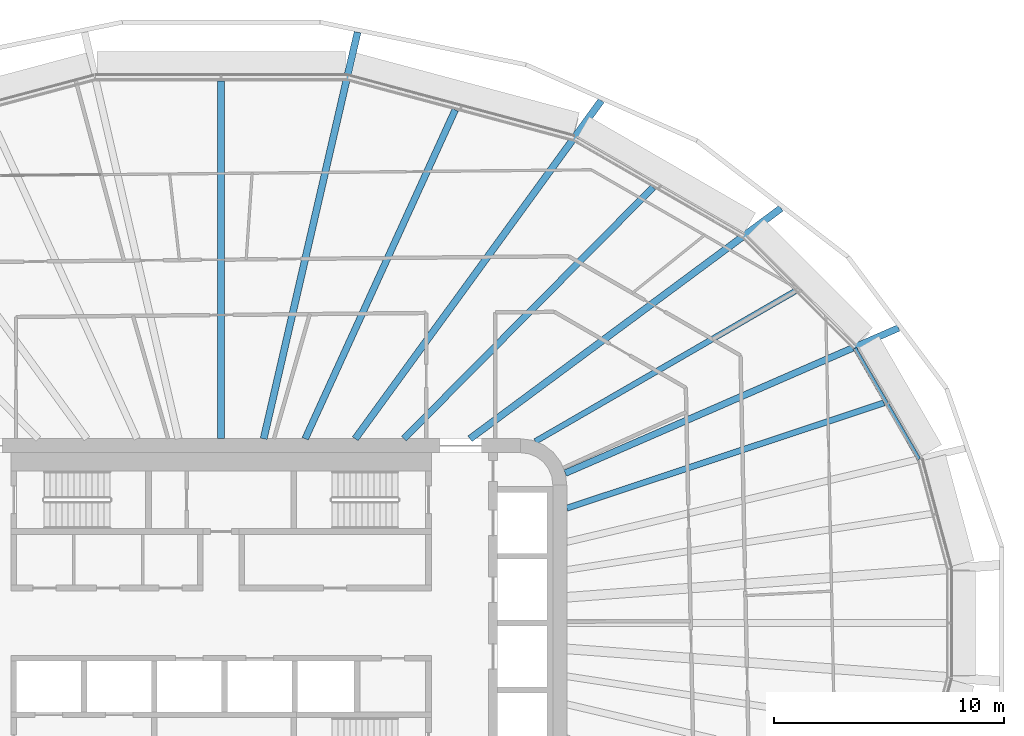
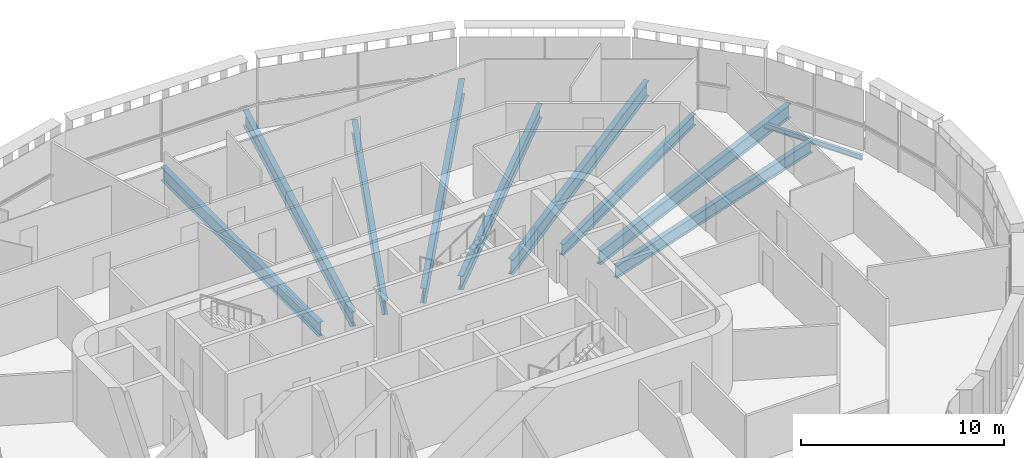
# One storey, part 9 of 26: 10 beams.
"""IFC4 building model written with IfcOpenShell, lengths in metres."""

import ifcopenshell
import ifcopenshell.guid

model = None  # the IFC model being written
_history = None  # IfcOwnerHistory: only IFC2X3 demands one
_inside = {}  # id of a spatial element -> (the spatial element, [elements in it])
_under = {}  # id of a project, library or spatial element -> (it, [spatial elements below it])
_declared = {}  # id of a project -> (the project, [libraries it declares])
_typed = {}  # id of a type object -> (the type object, [elements of that type])
_made_of = {}  # id of a material, layer set ... -> (it, [elements and type objects made of it])


def new_model(schema):
    """Start an empty IFC model of exactly this schema.

    Asked for "IFC4X3", IfcOpenShell would pick the latest addendum, in which some entities
    have other attributes; the version numbers below select the first issue.
    IFC2X3 requires an IfcOwnerHistory on every rooted entity: one is made here for all.
    """
    global model, _history
    if schema == "IFC4X3":
        model = ifcopenshell.file(schema_version=(4, 3, 0, 0))
    else:
        model = ifcopenshell.file(schema=schema)
    _inside.clear()
    _under.clear()
    _declared.clear()
    _typed.clear()
    _made_of.clear()
    _history = None
    if model.schema == "IFC2X3":
        org = make("IfcOrganization", Name="unknown")
        user = make(
            "IfcPersonAndOrganization",
            ThePerson=make("IfcPerson", FamilyName="unknown"),
            TheOrganization=org,
        )
        app = make(
            "IfcApplication",
            ApplicationDeveloper=org,
            Version="unknown",
            ApplicationFullName="unknown",
            ApplicationIdentifier="unknown",
        )
        _history = make(
            "IfcOwnerHistory",
            OwningUser=user,
            OwningApplication=app,
            ChangeAction="ADDED",
            CreationDate=0,
        )
    return model


def make(cls, **values):
    """One entity of the class cls with the attributes given. An attribute that is None is left unset."""
    return model.create_entity(
        cls, **{name: value for name, value in values.items() if value is not None}
    )


def rooted(cls, **values):
    """An entity with a GlobalId (a new one), such as an element, a storey or a relation."""
    return make(cls, GlobalId=ifcopenshell.guid.new(), OwnerHistory=_history, **values)


def si_unit(unit_type, name, prefix=None):
    """IfcSIUnit, for example si_unit("LENGTHUNIT", "METRE", prefix="MILLI")."""
    return make("IfcSIUnit", UnitType=unit_type, Prefix=prefix, Name=name)


def assignment(units):
    """IfcUnitAssignment: the units of a project."""
    return None if units is None else make("IfcUnitAssignment", Units=units)


def point(xyz):
    """IfcCartesianPoint."""
    return None if xyz is None else make("IfcCartesianPoint", Coordinates=xyz)


def direction(xyz):
    """IfcDirection."""
    return None if xyz is None else make("IfcDirection", DirectionRatios=xyz)


def frame(location, z_axis=None, x_axis=None):
    """IfcAxis2Placement3D, a coordinate frame: its origin and axes. An axis left out is left unset."""
    return make(
        "IfcAxis2Placement3D",
        Location=point(location),
        Axis=direction(z_axis),
        RefDirection=direction(x_axis),
    )


def frame_2d(location, x_axis=None):
    """IfcAxis2Placement2D, a coordinate frame in the plane: its origin and x axis."""
    return make(
        "IfcAxis2Placement2D", Location=point(location), RefDirection=direction(x_axis)
    )


def origin():
    """The frame at (0, 0, 0) with its axes left unset."""
    return frame((0.0, 0.0, 0.0))


def origin_2d():
    """The frame at (0, 0) in the plane with its x axis left unset."""
    return frame_2d((0.0, 0.0))


def place(relative_to, where):
    """IfcLocalPlacement: puts the frame where relative to a parent placement (None: the world)."""
    return make(
        "IfcLocalPlacement", PlacementRelTo=relative_to, RelativePlacement=where
    )


def context(
    kind, dimensions, precision=None, world=None, true_north=None, identifier=None
):
    """IfcGeometricRepresentationContext, for example the 3D "Model" context."""
    return make(
        "IfcGeometricRepresentationContext",
        ContextIdentifier=identifier,
        ContextType=kind,
        CoordinateSpaceDimension=dimensions,
        Precision=precision,
        WorldCoordinateSystem=world,
        TrueNorth=true_north,
    )


def subcontext(parent, identifier, kind, view, scale=None):
    """IfcGeometricRepresentationSubContext, for example "Body" below "Model"."""
    return make(
        "IfcGeometricRepresentationSubContext",
        ContextIdentifier=identifier,
        ContextType=kind,
        ParentContext=parent,
        TargetScale=scale,
        TargetView=view,
    )


def project(units=None, contexts=None):
    """IfcProject with its units and contexts."""
    return rooted(
        "IfcProject",
        Name="project",
        RepresentationContexts=contexts,
        UnitsInContext=assignment(units),
    )


def spatial(cls, under=None, at=None, **own):
    """A site, building, storey or space (cls), placed at a placement, below another one or the project."""
    s = rooted(cls, ObjectPlacement=at, **own)
    if under is not None:
        _under.setdefault(under.id(), (under, []))[1].append(s)
    return s


def profile(cls, at=None, kind="AREA", **sizes):
    """A parametric profile (cls). Its sizes go by their IFC names, for example OverallWidth=200.0."""
    return make(cls, ProfileType=kind, Position=at, **sizes)


def i_section(**sizes):
    """IfcIShapeProfileDef."""
    return profile("IfcIShapeProfileDef", **sizes)


def extrude(swept, where, along, depth):
    """IfcExtrudedAreaSolid: the profile swept, set in the frame where, extruded along a direction by depth."""
    return make(
        "IfcExtrudedAreaSolid",
        SweptArea=swept,
        Position=where,
        ExtrudedDirection=direction(along),
        Depth=depth,
    )


def shape(context_of_items, identifier, shape_type, items):
    """IfcShapeRepresentation: the items that make up one representation, for example the "Body"."""
    return make(
        "IfcShapeRepresentation",
        ContextOfItems=context_of_items,
        RepresentationIdentifier=identifier,
        RepresentationType=shape_type,
        Items=items,
    )


def material(Name=None, Category=None):
    """IfcMaterial."""
    return make("IfcMaterial", Name=Name, Category=Category)


def material_profile(
    of_material, cross_section, Name=None, Category=None, Priority=None
):
    """IfcMaterialProfile: a cross section and its material."""
    return make(
        "IfcMaterialProfile",
        Name=Name,
        Material=of_material,
        Profile=cross_section,
        Priority=Priority,
        Category=Category,
    )


def profile_set(profiles, Name=None, composite=None):
    """IfcMaterialProfileSet."""
    return make(
        "IfcMaterialProfileSet",
        Name=Name,
        MaterialProfiles=profiles,
        CompositeProfile=composite,
    )


def made_of(thing, what):
    """Note that an element or type object is made of a material, layer set ...; save() writes the relation."""
    if what is not None:
        _made_of.setdefault(what.id(), (what, []))[1].append(thing)
    return thing


def type_object(cls, material=None, **own):
    """A type object (cls), such as IfcWallType, which elements share."""
    return made_of(rooted(cls, **own), material)


def element(
    cls,
    number,
    at=None,
    inside=None,
    cuts=None,
    type_object=None,
    material=None,
    context=None,
    identifier="Body",
    shape_type=None,
    held_by="IfcProductDefinitionShape",
    body=None,
    shapes=None,
    **own,
):
    """One element of the class cls, such as IfcWall. Its Tag is "e" and its number.

    at: its placement. inside: the storey or other place that contains it. cuts: it is an
    opening in that element (IfcRelVoidsElement). A single representation is given by context,
    identifier, shape_type and body (its items); several are given by shapes. held_by: the class
    of the entity that holds the representations. save() writes the other relations.
    """
    e = rooted(cls, Tag="e%d" % number, ObjectPlacement=at, **own)
    if body is not None:
        shapes = [shape(context, identifier, shape_type, body)]
    if shapes is not None:
        e.Representation = make(held_by, Representations=shapes)
    if inside is not None:
        _inside.setdefault(inside.id(), (inside, []))[1].append(e)
    if cuts is not None:
        rooted(
            "IfcRelVoidsElement", RelatingBuildingElement=cuts, RelatedOpeningElement=e
        )
    if type_object is not None:
        _typed.setdefault(type_object.id(), (type_object, []))[1].append(e)
    return made_of(e, material)


def aggregate(whole, parts):
    """IfcRelAggregates: a whole, such as a stair, and the parts it consists of."""
    return rooted("IfcRelAggregates", RelatingObject=whole, RelatedObjects=parts)


def save(model, path):
    """Write the relations noted so far, then the file.

    IfcRelAggregates (storeys below a building ...), IfcRelContainedInSpatialStructure (elements
    in a storey), IfcRelDefinesByType, IfcRelAssociatesMaterial and IfcRelDeclares: one each for
    every whole, place, type object, material and project.
    """
    for whole, parts in _under.values():
        aggregate(whole, parts)
    for where, things in _inside.values():
        rooted(
            "IfcRelContainedInSpatialStructure",
            RelatedElements=things,
            RelatingStructure=where,
        )
    for kind, things in _typed.values():
        rooted("IfcRelDefinesByType", RelatedObjects=things, RelatingType=kind)
    for what, things in _made_of.values():
        rooted("IfcRelAssociatesMaterial", RelatedObjects=things, RelatingMaterial=what)
    for by, libraries in _declared.values():
        rooted("IfcRelDeclares", RelatingContext=by, RelatedDefinitions=libraries)
    model.write(path)


model = new_model("IFC4")

# Units and contexts
model_context = context("Model", 3, precision=1e-05, world=origin(), true_north=direction((0.0, 1.0)))
body_context = subcontext(model_context, "Body", "Model", "MODEL_VIEW")
ifc_project = project(units=[si_unit("LENGTHUNIT", "METRE"), si_unit("AREAUNIT", "SQUARE_METRE"), si_unit("VOLUMEUNIT", "CUBIC_METRE"), si_unit("PLANEANGLEUNIT", "RADIAN"), si_unit("MASSUNIT", "GRAM", prefix="KILO")], contexts=[model_context])

# Site, building, storey
site_placement = place(None, origin())
site = spatial("IfcSite", under=ifc_project, at=site_placement, CompositionType="ELEMENT")
building_placement = place(site_placement, origin())
building = spatial("IfcBuilding", under=site, at=building_placement, Name="Sahrelin Media Tower", CompositionType="ELEMENT")
storey_placement = place(building_placement, frame((0.0, 0.0, 88.199951171875)))
storey = spatial("IfcBuildingStorey", under=building, at=storey_placement, Name="L16", CompositionType="ELEMENT", Elevation=88.199951171875)

# Beams
ifc_material = material(Name="Steel S355", Category="steel")
ifc_material_profile_1 = material_profile(ifc_material, i_section(OverallWidth=0.1650390625, OverallDepth=0.303466796875, WebThickness=0.006103515625, FlangeThickness=0.01025390625, FilletRadius=0.0087890625, at=origin_2d()), Name="UB 305x165x40")
ifc_profile_set_1 = profile_set([ifc_material_profile_1], Name="Steel S355")
beam_type_1 = type_object("IfcBeamType", Name="Edge beam EB2", PredefinedType="BEAM", material=ifc_profile_set_1)
beam_1_placement = place(storey_placement, frame((27.500244140625, 11.923095703125, -0.3017578125), z_axis=(0.499998387408, -0.866026334813, 0.0), x_axis=(0.866026334813, 0.499998387408, 0.0)))
element("IfcBeam", 1, at=beam_1_placement, inside=storey, type_object=beam_type_1, Name="Edge beam L16-23", PredefinedType="BEAM", context=body_context, shape_type="SweptSolid", body=[
    extrude(i_section(OverallWidth=0.1650390625, OverallDepth=0.303466796875, WebThickness=0.006103515625, FlangeThickness=0.01025390625, FilletRadius=0.0087890625, at=origin_2d()), origin(), (0.0, 0.0, 1.0), 5.5654296875),
])
ifc_material_profile_2 = material_profile(ifc_material, i_section(OverallWidth=0.291748046875, OverallDepth=0.8349609375, WebThickness=0.013916015625, FlangeThickness=0.018798828125, FilletRadius=0.017822265625, at=origin_2d()), Name="UB 838x292x176")
ifc_profile_set_2 = profile_set([ifc_material_profile_2], Name="Steel S355")
beam_type_2 = type_object("IfcBeamType", Name="Radial primary beam PB10", PredefinedType="BEAM", material=ifc_profile_set_2)
beam_2_placement = place(storey_placement, frame((14.93359375, 6.5048828125, -0.5673828125), z_axis=(0.916801900048, 0.399342304381, 0.0), x_axis=(-0.399342304381, 0.916801900048, 0.0)))
element("IfcBeam", 2, at=beam_2_placement, inside=storey, type_object=beam_type_2, Name="Radial beam L16-03", PredefinedType="BEAM", context=body_context, shape_type="SweptSolid", body=[
    extrude(i_section(OverallWidth=0.291748046875, OverallDepth=0.8349609375, WebThickness=0.013916015625, FlangeThickness=0.018798828125, FilletRadius=0.017822265625, at=origin_2d()), origin(), (0.0, 0.0, 1.0), 15.77490234375),
])
ifc_material_profile_3 = material_profile(ifc_material, i_section(OverallWidth=0.30322265625, OverallDepth=0.903076171875, WebThickness=0.01513671875, FlangeThickness=0.020263671875, FilletRadius=0.01904296875, at=origin_2d()), Name="UB 914x305x201")
ifc_profile_set_3 = profile_set([ifc_material_profile_3], Name="Steel S355")
beam_type_3 = type_object("IfcBeamType", Name="Radial primary beam PB11", PredefinedType="BEAM", material=ifc_profile_set_3)
beam_3_placement = place(storey_placement, frame((10.798828125, 8.0, -0.6015625), z_axis=(0.803527079038, 0.59526820279, 0.0), x_axis=(-0.59526820279, 0.803527079038, 0.0)))
element("IfcBeam", 3, at=beam_3_placement, inside=storey, type_object=beam_type_3, Name="Radial beam L16-04", PredefinedType="BEAM", context=body_context, shape_type="SweptSolid", body=[
    extrude(i_section(OverallWidth=0.30322265625, OverallDepth=0.903076171875, WebThickness=0.01513671875, FlangeThickness=0.020263671875, FilletRadius=0.01904296875, at=origin_2d()), origin(), (0.0, 0.0, 1.0), 16.8037109375),
])
beam_4_placement = place(storey_placement, frame((5.8203125, 8.0, -0.6015625), z_axis=(0.588306872488, 0.808637758075, 0.0), x_axis=(-0.808637758075, 0.588306872488, 0.0)))
element("IfcBeam", 4, at=beam_4_placement, inside=storey, type_object=beam_type_3, Name="Radial beam L16-05", PredefinedType="BEAM", context=body_context, shape_type="SweptSolid", body=[
    extrude(i_section(OverallWidth=0.30322265625, OverallDepth=0.903076171875, WebThickness=0.01513671875, FlangeThickness=0.020263671875, FilletRadius=0.01904296875, at=origin_2d()), origin(), (0.0, 0.0, 1.0), 18.14794921875),
])
beam_5_placement = place(storey_placement, frame((1.847900390625, 8.0, -0.6015625), z_axis=(0.225045636479, 0.974348223944, 0.0), x_axis=(-0.974348223944, 0.225045636479, 0.0)))
element("IfcBeam", 5, at=beam_5_placement, inside=storey, type_object=beam_type_3, Name="Radial beam L16-06", PredefinedType="BEAM", context=body_context, shape_type="SweptSolid", body=[
    extrude(i_section(OverallWidth=0.30322265625, OverallDepth=0.903076171875, WebThickness=0.01513671875, FlangeThickness=0.020263671875, FilletRadius=0.01904296875, at=origin_2d()), origin(), (0.0, 0.0, 1.0), 18.10498046875),
])
ifc_material_profile_4 = material_profile(ifc_material, i_section(OverallWidth=0.291748046875, OverallDepth=0.8349609375, WebThickness=0.013916015625, FlangeThickness=0.018798828125, FilletRadius=0.017822265625, at=origin_2d()), Name="UB 838x292x176")
ifc_profile_set_4 = profile_set([ifc_material_profile_4], Name="Steel S355")
beam_type_4 = type_object("IfcBeamType", Name="Radial secondary beam SB10", PredefinedType="BEAM", material=ifc_profile_set_4)
beam_6_placement = place(storey_placement, frame((7.93115234375, 8.0, -0.5673828125), z_axis=(0.704056941584, 0.710143522823, 0.0), x_axis=(-0.710143522823, 0.704056941584, 0.0)))
element("IfcBeam", 6, at=beam_6_placement, inside=storey, type_object=beam_type_4, Name="Secondary beam L16-04", PredefinedType="BEAM", context=body_context, shape_type="SweptSolid", body=[
    extrude(i_section(OverallWidth=0.291748046875, OverallDepth=0.8349609375, WebThickness=0.013916015625, FlangeThickness=0.018798828125, FilletRadius=0.017822265625, at=origin_2d()), origin(), (0.0, 0.0, 1.0), 15.362548828125),
])
beam_7_placement = place(storey_placement, frame((3.6494140625, 8.0, -0.5673828125), z_axis=(0.415038402282, 0.909803893502, 0.0), x_axis=(-0.909803893502, 0.415038402282, 0.0)))
element("IfcBeam", 7, at=beam_7_placement, inside=storey, type_object=beam_type_4, Name="Secondary beam L16-05", PredefinedType="BEAM", context=body_context, shape_type="SweptSolid", body=[
    extrude(i_section(OverallWidth=0.291748046875, OverallDepth=0.8349609375, WebThickness=0.013916015625, FlangeThickness=0.018798828125, FilletRadius=0.017822265625, at=origin_2d()), origin(), (0.0, 0.0, 1.0), 15.687744140625),
])
beam_8_placement = place(storey_placement, frame((0.0, 8.0, -0.5673828125), z_axis=(0.0, 1.0, 0.0), x_axis=(-1.0, 0.0, 0.0)))
element("IfcBeam", 8, at=beam_8_placement, inside=storey, type_object=beam_type_4, Name="Secondary beam L16-06", PredefinedType="BEAM", context=body_context, shape_type="SweptSolid", body=[
    extrude(i_section(OverallWidth=0.291748046875, OverallDepth=0.8349609375, WebThickness=0.013916015625, FlangeThickness=0.018798828125, FilletRadius=0.017822265625, at=origin_2d()), origin(), (0.0, 0.0, 1.0), 15.5224609375),
])
ifc_material_profile_5 = material_profile(ifc_material, i_section(OverallWidth=0.2529296875, OverallDepth=0.677978515625, WebThickness=0.01171875, FlangeThickness=0.01611328125, FilletRadius=0.01513671875, at=origin_2d()), Name="UB 686x254x125")
ifc_profile_set_5 = profile_set([ifc_material_profile_5], Name="Steel S355")
beam_type_5 = type_object("IfcBeamType", Name="Radial secondary beam SB8", PredefinedType="BEAM", material=ifc_profile_set_5)
beam_9_placement = place(storey_placement, frame((13.63525390625, 7.88330078125, -0.48876953125), z_axis=(0.865726960109, 0.500516563703, 0.0), x_axis=(-0.500516563703, 0.865726960109, 0.0)))
element("IfcBeam", 9, at=beam_9_placement, inside=storey, type_object=beam_type_5, Name="Secondary beam L16-03", PredefinedType="BEAM", context=body_context, shape_type="SweptSolid", body=[
    extrude(i_section(OverallWidth=0.2529296875, OverallDepth=0.677978515625, WebThickness=0.01171875, FlangeThickness=0.01611328125, FilletRadius=0.01513671875, at=origin_2d()), origin(), (0.0, 0.0, 1.0), 13.020263671875),
])
ifc_material_profile_6 = material_profile(ifc_material, i_section(OverallWidth=0.26513671875, OverallDepth=0.75390625, WebThickness=0.0126953125, FlangeThickness=0.017578125, FilletRadius=0.0166015625, at=origin_2d()), Name="UB 762x267x147")
ifc_profile_set_6 = profile_set([ifc_material_profile_6], Name="Steel S355")
beam_type_6 = type_object("IfcBeamType", Name="Radial secondary beam SB9", PredefinedType="BEAM", material=ifc_profile_set_6)
beam_10_placement = place(storey_placement, frame((15.0, 4.983642578125, -0.52685546875), z_axis=(0.948994110949, 0.315293795346, 0.0), x_axis=(-0.315293795346, 0.948994110949, 0.0)))
element("IfcBeam", 10, at=beam_10_placement, inside=storey, type_object=beam_type_6, Name="Secondary beam L16-02", PredefinedType="BEAM", context=body_context, shape_type="SweptSolid", body=[
    extrude(i_section(OverallWidth=0.26513671875, OverallDepth=0.75390625, WebThickness=0.0126953125, FlangeThickness=0.017578125, FilletRadius=0.0166015625, at=origin_2d()), origin(), (0.0, 0.0, 1.0), 14.510009765625),
])

save(model, "model.ifc")
